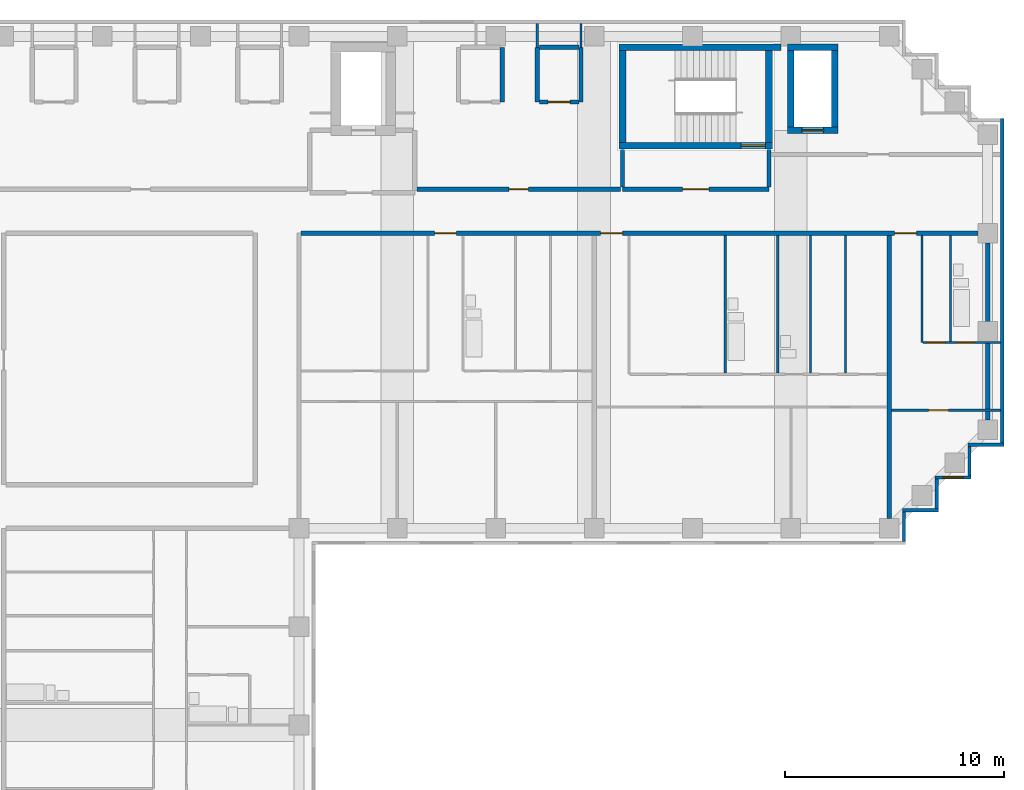
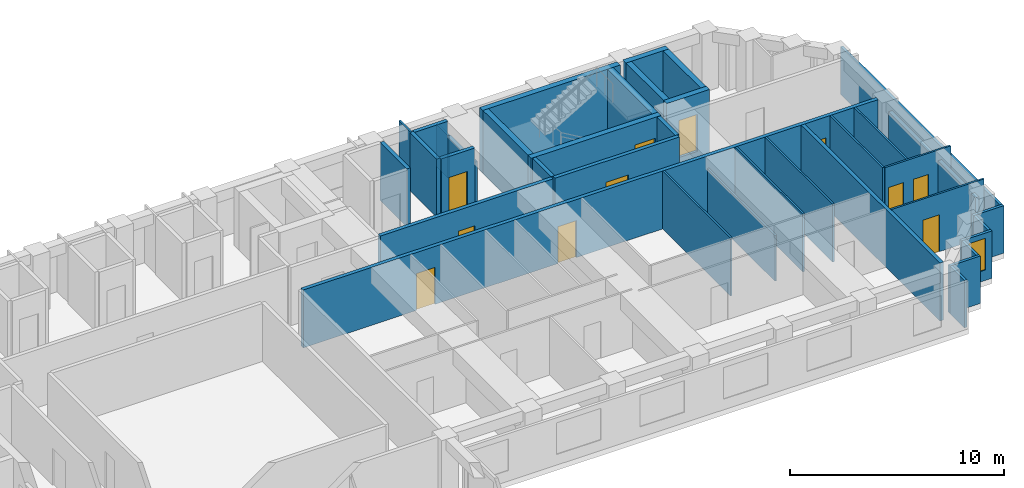
# One storey, part 7 of 10: 37 walls, 11 doors, 1 window, 12 openings.
"""IFC4 building model written with IfcOpenShell, lengths in metres."""

import ifcopenshell
import ifcopenshell.guid

model = None  # the IFC model being written
_history = None  # IfcOwnerHistory: only IFC2X3 demands one
_inside = {}  # id of a spatial element -> (the spatial element, [elements in it])
_under = {}  # id of a project, library or spatial element -> (it, [spatial elements below it])
_declared = {}  # id of a project -> (the project, [libraries it declares])
_typed = {}  # id of a type object -> (the type object, [elements of that type])
_made_of = {}  # id of a material, layer set ... -> (it, [elements and type objects made of it])


def new_model(schema):
    """Start an empty IFC model of exactly this schema.

    Asked for "IFC4X3", IfcOpenShell would pick the latest addendum, in which some entities
    have other attributes; the version numbers below select the first issue.
    IFC2X3 requires an IfcOwnerHistory on every rooted entity: one is made here for all.
    """
    global model, _history
    if schema == "IFC4X3":
        model = ifcopenshell.file(schema_version=(4, 3, 0, 0))
    else:
        model = ifcopenshell.file(schema=schema)
    _inside.clear()
    _under.clear()
    _declared.clear()
    _typed.clear()
    _made_of.clear()
    _history = None
    if model.schema == "IFC2X3":
        org = make("IfcOrganization", Name="unknown")
        user = make(
            "IfcPersonAndOrganization",
            ThePerson=make("IfcPerson", FamilyName="unknown"),
            TheOrganization=org,
        )
        app = make(
            "IfcApplication",
            ApplicationDeveloper=org,
            Version="unknown",
            ApplicationFullName="unknown",
            ApplicationIdentifier="unknown",
        )
        _history = make(
            "IfcOwnerHistory",
            OwningUser=user,
            OwningApplication=app,
            ChangeAction="ADDED",
            CreationDate=0,
        )
    return model


def make(cls, **values):
    """One entity of the class cls with the attributes given. An attribute that is None is left unset."""
    return model.create_entity(
        cls, **{name: value for name, value in values.items() if value is not None}
    )


def rooted(cls, **values):
    """An entity with a GlobalId (a new one), such as an element, a storey or a relation."""
    return make(cls, GlobalId=ifcopenshell.guid.new(), OwnerHistory=_history, **values)


def si_unit(unit_type, name, prefix=None):
    """IfcSIUnit, for example si_unit("LENGTHUNIT", "METRE", prefix="MILLI")."""
    return make("IfcSIUnit", UnitType=unit_type, Prefix=prefix, Name=name)


def assignment(units):
    """IfcUnitAssignment: the units of a project."""
    return None if units is None else make("IfcUnitAssignment", Units=units)


def point(xyz):
    """IfcCartesianPoint."""
    return None if xyz is None else make("IfcCartesianPoint", Coordinates=xyz)


def direction(xyz):
    """IfcDirection."""
    return None if xyz is None else make("IfcDirection", DirectionRatios=xyz)


def frame(location, z_axis=None, x_axis=None):
    """IfcAxis2Placement3D, a coordinate frame: its origin and axes. An axis left out is left unset."""
    return make(
        "IfcAxis2Placement3D",
        Location=point(location),
        Axis=direction(z_axis),
        RefDirection=direction(x_axis),
    )


def frame_2d(location, x_axis=None):
    """IfcAxis2Placement2D, a coordinate frame in the plane: its origin and x axis."""
    return make(
        "IfcAxis2Placement2D", Location=point(location), RefDirection=direction(x_axis)
    )


def origin():
    """The frame at (0, 0, 0) with its axes left unset."""
    return frame((0.0, 0.0, 0.0))


def place(relative_to, where):
    """IfcLocalPlacement: puts the frame where relative to a parent placement (None: the world)."""
    return make(
        "IfcLocalPlacement", PlacementRelTo=relative_to, RelativePlacement=where
    )


def context(
    kind, dimensions, precision=None, world=None, true_north=None, identifier=None
):
    """IfcGeometricRepresentationContext, for example the 3D "Model" context."""
    return make(
        "IfcGeometricRepresentationContext",
        ContextIdentifier=identifier,
        ContextType=kind,
        CoordinateSpaceDimension=dimensions,
        Precision=precision,
        WorldCoordinateSystem=world,
        TrueNorth=true_north,
    )


def subcontext(parent, identifier, kind, view, scale=None):
    """IfcGeometricRepresentationSubContext, for example "Body" below "Model"."""
    return make(
        "IfcGeometricRepresentationSubContext",
        ContextIdentifier=identifier,
        ContextType=kind,
        ParentContext=parent,
        TargetScale=scale,
        TargetView=view,
    )


def project(units=None, contexts=None):
    """IfcProject with its units and contexts."""
    return rooted(
        "IfcProject",
        Name="project",
        RepresentationContexts=contexts,
        UnitsInContext=assignment(units),
    )


def spatial(cls, under=None, at=None, **own):
    """A site, building, storey or space (cls), placed at a placement, below another one or the project."""
    s = rooted(cls, ObjectPlacement=at, **own)
    if under is not None:
        _under.setdefault(under.id(), (under, []))[1].append(s)
    return s


def profile(cls, at=None, kind="AREA", **sizes):
    """A parametric profile (cls). Its sizes go by their IFC names, for example OverallWidth=200.0."""
    return make(cls, ProfileType=kind, Position=at, **sizes)


def rectangle(**sizes):
    """IfcRectangleProfileDef."""
    return profile("IfcRectangleProfileDef", **sizes)


def extrude(swept, where, along, depth):
    """IfcExtrudedAreaSolid: the profile swept, set in the frame where, extruded along a direction by depth."""
    return make(
        "IfcExtrudedAreaSolid",
        SweptArea=swept,
        Position=where,
        ExtrudedDirection=direction(along),
        Depth=depth,
    )


def shape(context_of_items, identifier, shape_type, items):
    """IfcShapeRepresentation: the items that make up one representation, for example the "Body"."""
    return make(
        "IfcShapeRepresentation",
        ContextOfItems=context_of_items,
        RepresentationIdentifier=identifier,
        RepresentationType=shape_type,
        Items=items,
    )


def material(Name=None, Category=None):
    """IfcMaterial."""
    return make("IfcMaterial", Name=Name, Category=Category)


def layer(
    of_material, thickness, ventilated=None, Name=None, Category=None, Priority=None
):
    """IfcMaterialLayer: one layer of a wall or slab, of a material (None: an air gap)."""
    return make(
        "IfcMaterialLayer",
        Material=of_material,
        LayerThickness=thickness,
        IsVentilated=ventilated,
        Name=Name,
        Category=Category,
        Priority=Priority,
    )


def layer_set(layers, Name=None):
    """IfcMaterialLayerSet."""
    return make("IfcMaterialLayerSet", MaterialLayers=layers, LayerSetName=Name)


def made_of(thing, what):
    """Note that an element or type object is made of a material, layer set ...; save() writes the relation."""
    if what is not None:
        _made_of.setdefault(what.id(), (what, []))[1].append(thing)
    return thing


def type_object(cls, material=None, **own):
    """A type object (cls), such as IfcWallType, which elements share."""
    return made_of(rooted(cls, **own), material)


def element(
    cls,
    number,
    at=None,
    inside=None,
    cuts=None,
    type_object=None,
    material=None,
    context=None,
    identifier="Body",
    shape_type=None,
    held_by="IfcProductDefinitionShape",
    body=None,
    shapes=None,
    **own,
):
    """One element of the class cls, such as IfcWall. Its Tag is "e" and its number.

    at: its placement. inside: the storey or other place that contains it. cuts: it is an
    opening in that element (IfcRelVoidsElement). A single representation is given by context,
    identifier, shape_type and body (its items); several are given by shapes. held_by: the class
    of the entity that holds the representations. save() writes the other relations.
    """
    e = rooted(cls, Tag="e%d" % number, ObjectPlacement=at, **own)
    if body is not None:
        shapes = [shape(context, identifier, shape_type, body)]
    if shapes is not None:
        e.Representation = make(held_by, Representations=shapes)
    if inside is not None:
        _inside.setdefault(inside.id(), (inside, []))[1].append(e)
    if cuts is not None:
        rooted(
            "IfcRelVoidsElement", RelatingBuildingElement=cuts, RelatedOpeningElement=e
        )
    if type_object is not None:
        _typed.setdefault(type_object.id(), (type_object, []))[1].append(e)
    return made_of(e, material)


def fill(opening, filler):
    """IfcRelFillsElement: the door or window that sits in an opening."""
    return rooted(
        "IfcRelFillsElement",
        RelatingOpeningElement=opening,
        RelatedBuildingElement=filler,
    )


def aggregate(whole, parts):
    """IfcRelAggregates: a whole, such as a stair, and the parts it consists of."""
    return rooted("IfcRelAggregates", RelatingObject=whole, RelatedObjects=parts)


def save(model, path):
    """Write the relations noted so far, then the file.

    IfcRelAggregates (storeys below a building ...), IfcRelContainedInSpatialStructure (elements
    in a storey), IfcRelDefinesByType, IfcRelAssociatesMaterial and IfcRelDeclares: one each for
    every whole, place, type object, material and project.
    """
    for whole, parts in _under.values():
        aggregate(whole, parts)
    for where, things in _inside.values():
        rooted(
            "IfcRelContainedInSpatialStructure",
            RelatedElements=things,
            RelatingStructure=where,
        )
    for kind, things in _typed.values():
        rooted("IfcRelDefinesByType", RelatedObjects=things, RelatingType=kind)
    for what, things in _made_of.values():
        rooted("IfcRelAssociatesMaterial", RelatedObjects=things, RelatingMaterial=what)
    for by, libraries in _declared.values():
        rooted("IfcRelDeclares", RelatingContext=by, RelatedDefinitions=libraries)
    model.write(path)


model = new_model("IFC4")

# Units and contexts
model_context = context("Model", 3, precision=1e-05, world=origin(), true_north=direction((0.0, 1.0)))
body_context = subcontext(model_context, "Body", "Model", "MODEL_VIEW")
ifc_project = project(units=[si_unit("LENGTHUNIT", "METRE"), si_unit("AREAUNIT", "SQUARE_METRE"), si_unit("VOLUMEUNIT", "CUBIC_METRE"), si_unit("PLANEANGLEUNIT", "RADIAN"), si_unit("MASSUNIT", "GRAM", prefix="KILO")], contexts=[model_context])

# Site, building, storey
site_placement = place(None, origin())
site = spatial("IfcSite", under=ifc_project, at=site_placement, CompositionType="ELEMENT")
building_placement = place(site_placement, origin())
building = spatial("IfcBuilding", under=site, at=building_placement, Name="Firuza Court", CompositionType="ELEMENT")
storey_placement = place(building_placement, frame((0.0, 0.0, 189.800048828125)))
storey = spatial("IfcBuildingStorey", under=building, at=storey_placement, Name="L48", CompositionType="ELEMENT", Elevation=189.800048828125)

# Walls
ifc_material_1 = material(Name="Moisture-resistant gypsum board partition")
ifc_layer_1 = layer(ifc_material_1, 0.10009765625)
ifc_layer_set_1 = layer_set([ifc_layer_1], Name="Moisture-resistant gypsum board partition")
wall_type_1 = type_object("IfcWallType", Name="Bathroom partition 100", PredefinedType="PLUMBINGWALL", material=ifc_layer_set_1)
wall_1_placement = place(storey_placement, frame((42.0, 43.10009765625, 0.0), z_axis=(0.0, 0.0, 1.0), x_axis=(0.0, 1.0, 0.0)))
element("IfcWall", 1, at=wall_1_placement, inside=storey, type_object=wall_type_1, Name="Bathroom partition 100 L48", PredefinedType="PLUMBINGWALL", context=body_context, shape_type="SweptSolid", body=[
    extrude(rectangle(XDim=6.2998046875, YDim=0.10009765625, at=frame_2d((3.14990234375, 0.0))), origin(), (0.0, 0.0, 1.0), 3.300048828125),
])
wall_2_placement = place(storey_placement, frame((44.39990234375, 43.10009765625, 0.0), z_axis=(0.0, 0.0, 1.0), x_axis=(0.0, 1.0, 0.0)))
element("IfcWall", 2, at=wall_2_placement, inside=storey, type_object=wall_type_1, Name="Bathroom partition 100 L48", PredefinedType="PLUMBINGWALL", context=body_context, shape_type="SweptSolid", body=[
    extrude(rectangle(XDim=6.2998046875, YDim=0.10009765625, at=frame_2d((3.14990234375, 0.0))), origin(), (0.0, 0.0, 1.0), 2.599853515625),
])
wall_3_placement = place(storey_placement, frame((45.89990234375, 43.10009765625, 0.0), z_axis=(0.0, 0.0, 1.0), x_axis=(0.0, 1.0, 0.0)))
element("IfcWall", 3, at=wall_3_placement, inside=storey, type_object=wall_type_1, Name="Bathroom partition 100 L48", PredefinedType="PLUMBINGWALL", context=body_context, shape_type="SweptSolid", body=[
    extrude(rectangle(XDim=6.2998046875, YDim=0.10009765625, at=frame_2d((3.14990234375, 0.0))), origin(), (0.0, 0.0, 1.0), 3.300048828125),
])
wall_4_placement = place(storey_placement, frame((52.300048828125, 44.550048828125, 0.0), z_axis=(0.0, 0.0, 1.0), x_axis=(0.0, 1.0, 0.0)))
element("IfcWall", 4, at=wall_4_placement, inside=storey, type_object=wall_type_1, Name="Bathroom partition 100 L48", PredefinedType="PLUMBINGWALL", context=body_context, shape_type="SweptSolid", body=[
    extrude(rectangle(XDim=4.849853515625, YDim=0.10009765625, at=frame_2d((2.4248046875, 0.0))), origin(), (0.0, 0.0, 1.0), 3.300048828125),
])

# Wall, opening, door
ifc_material_2 = material(Name="Concrete C50/60", Category="concrete")
ifc_layer_2 = layer(ifc_material_2, 0.300048828125)
ifc_layer_set_2 = layer_set([ifc_layer_2], Name="Concrete C50/60")
wall_type_2 = type_object("IfcWallType", Name="Core wall 300 C50/60", PredefinedType="SHEAR", material=ifc_layer_set_2)
wall_5_placement = place(storey_placement, frame((37.14990234375, 53.5, -0.300048828125), z_axis=(0.0, 0.0, 1.0), x_axis=(1.0, 0.0, 0.0)))
wall_5 = element("IfcWall", 5, at=wall_5_placement, inside=storey, type_object=wall_type_2, Name="Core wall stair L48", PredefinedType="SHEAR", context=body_context, shape_type="SweptSolid", body=[
    extrude(rectangle(XDim=7.0, YDim=0.300048828125, at=frame_2d((3.5, 0.0))), origin(), (0.0, 0.0, 1.0), 3.60009765625),
])
opening_1_placement = place(wall_5_placement, frame((5.580078125, 0.0, 0.300048828125)))
opening_1 = element("IfcOpeningElement", 6, at=opening_1_placement, cuts=wall_5, Name="Opening D48011", PredefinedType="OPENING", context=body_context, shape_type="SweptSolid", body=[
    extrude(rectangle(XDim=1.10009765625, YDim=2.10009765625, at=frame_2d((0.550048828125, 1.050048828125))), frame((0.0, 0.162109375, 0.0), z_axis=(0.0, -1.0, 0.0), x_axis=(1.0, 0.0, 0.0)), (0.0, 0.0, 1.0), 0.323974609375),
])
ifc_material_3 = material(Name="Timber door leaf in hardwood frame", Category="wood")
door_type_1 = type_object("IfcDoorType", Name="Stair door 1100", OperationType="SINGLE_SWING_LEFT", PredefinedType="DOOR", material=ifc_material_3)
door_1_placement = place(opening_1_placement, origin())
door_1 = element("IfcDoor", 7, at=door_1_placement, inside=storey, type_object=door_type_1, Name="Stair door S1", OperationType="SINGLE_SWING_RIGHT", OverallHeight=2.10009765625, OverallWidth=1.10009765625, PredefinedType="DOOR", context=body_context, shape_type="SweptSolid", body=[
    extrude(rectangle(XDim=1.10009765625, YDim=2.10009765625, at=frame_2d((0.550048828125, 1.050048828125))), frame((0.0, 0.02490234375, 0.0), z_axis=(0.0, -1.0, 0.0), x_axis=(1.0, 0.0, 0.0)), (0.0, 0.0, 1.0), 0.050048828125),
])
fill(opening_1, door_1)

# Walls
wall_6_placement = place(storey_placement, frame((37.14990234375, 58.0, -0.300048828125), z_axis=(0.0, 0.0, 1.0), x_axis=(1.0, 0.0, 0.0)))
element("IfcWall", 8, at=wall_6_placement, inside=storey, type_object=wall_type_2, Name="Core wall stair L48", PredefinedType="SHEAR", context=body_context, shape_type="SweptSolid", body=[
    extrude(rectangle(XDim=7.400146484375, YDim=0.300048828125, at=frame_2d((3.7001953125, 0.0))), origin(), (0.0, 0.0, 1.0), 3.60009765625),
])
for number, where, z_axis, x_axis, name in (
    (9, (37.300048828125, 53.64990234375, -0.300048828125), (0.0, 0.0, 1.0), (0.0, 1.0, 0.0), "Core wall stair L48"),
    (10, (44.0, 53.64990234375, -0.300048828125), (0.0, 0.0, 1.0), (0.0, 1.0, 0.0), "Core wall stair L48"),
):
    element("IfcWall", number, at=place(storey_placement, frame(where, z_axis=z_axis, x_axis=x_axis)), inside=storey, type_object=wall_type_2, Name=name, PredefinedType="SHEAR", context=body_context, shape_type="SweptSolid", body=[
        extrude(rectangle(XDim=4.2001953125, YDim=0.300048828125, at=frame_2d((2.10009765625, 0.0))), origin(), (0.0, 0.0, 1.0), 3.60009765625),
    ])

# Wall, opening, door
wall_7_placement = place(storey_placement, frame((44.85009765625, 54.199951171875, -0.300048828125), z_axis=(0.0, 0.0, 1.0), x_axis=(1.0, 0.0, 0.0)))
wall_7 = element("IfcWall", 11, at=wall_7_placement, inside=storey, type_object=wall_type_2, Name="Core wall riser L48", PredefinedType="SHEAR", context=body_context, shape_type="SweptSolid", body=[
    extrude(rectangle(XDim=2.2998046875, YDim=0.300048828125, at=frame_2d((1.14990234375, 0.0))), origin(), (0.0, 0.0, 1.0), 3.60009765625),
])
opening_2_placement = place(wall_7_placement, frame((0.64990234375, 0.0, 0.300048828125)))
opening_2 = element("IfcOpeningElement", 12, at=opening_2_placement, cuts=wall_7, Name="Opening D48009", PredefinedType="OPENING", context=body_context, shape_type="SweptSolid", body=[
    extrude(rectangle(XDim=1.0, YDim=2.10009765625, at=frame_2d((0.5, 1.050048828125))), frame((0.0, 0.162109375, 0.0), z_axis=(0.0, -1.0, 0.0), x_axis=(1.0, 0.0, 0.0)), (0.0, 0.0, 1.0), 0.323974609375),
])
ifc_material_4 = material(Name="Timber door leaf in hardwood frame", Category="wood")
door_type_2 = type_object("IfcDoorType", Name="Riser door 1000", OperationType="SINGLE_SWING_LEFT", PredefinedType="DOOR", material=ifc_material_4)
door_2_placement = place(opening_2_placement, origin())
door_2 = element("IfcDoor", 13, at=door_2_placement, inside=storey, type_object=door_type_2, Name="Riser door R3", OperationType="SINGLE_SWING_LEFT", OverallHeight=2.10009765625, OverallWidth=1.0, PredefinedType="DOOR", context=body_context, shape_type="SweptSolid", body=[
    extrude(rectangle(XDim=1.0, YDim=2.10009765625, at=frame_2d((0.5, 1.050048828125))), frame((0.0, 0.02490234375, 0.0), z_axis=(0.0, -1.0, 0.0), x_axis=(1.0, 0.0, 0.0)), (0.0, 0.0, 1.0), 0.050048828125),
])
fill(opening_2, door_2)

# Walls
wall_8_placement = place(storey_placement, frame((44.85009765625, 58.0, -0.300048828125), z_axis=(0.0, 0.0, 1.0), x_axis=(1.0, 0.0, 0.0)))
element("IfcWall", 14, at=wall_8_placement, inside=storey, type_object=wall_type_2, Name="Core wall riser L48", PredefinedType="SHEAR", context=body_context, shape_type="SweptSolid", body=[
    extrude(rectangle(XDim=2.2998046875, YDim=0.300048828125, at=frame_2d((1.14990234375, 0.0))), origin(), (0.0, 0.0, 1.0), 3.60009765625),
])
for number, where, z_axis, x_axis, name in (
    (15, (45.0, 54.35009765625, -0.300048828125), (0.0, 0.0, 1.0), (0.0, 1.0, 0.0), "Core wall riser L48"),
    (16, (47.0, 54.35009765625, -0.300048828125), (0.0, 0.0, 1.0), (0.0, 1.0, 0.0), "Core wall riser L48"),
):
    element("IfcWall", number, at=place(storey_placement, frame(where, z_axis=z_axis, x_axis=x_axis)), inside=storey, type_object=wall_type_2, Name=name, PredefinedType="SHEAR", context=body_context, shape_type="SweptSolid", body=[
        extrude(rectangle(XDim=3.5, YDim=0.300048828125, at=frame_2d((1.75, 0.0))), origin(), (0.0, 0.0, 1.0), 3.60009765625),
    ])

# Wall, openings, doors
ifc_material_5 = material(Name="Blockwork, plastered both sides", Category="masonry")
ifc_layer_3 = layer(ifc_material_5, 0.199951171875)
ifc_layer_set_3 = layer_set([ifc_layer_3], Name="Blockwork, plastered both sides")
wall_type_3 = type_object("IfcWallType", Name="Corridor wall 200", PredefinedType="PARTITIONING", material=ifc_layer_set_3)
wall_9_placement = place(storey_placement, frame((22.60009765625, 49.5, 0.0), z_axis=(0.0, 0.0, 1.0), x_axis=(1.0, 0.0, 0.0)))
wall_9 = element("IfcWall", 17, at=wall_9_placement, inside=storey, type_object=wall_type_3, Name="Corridor wall 200 L48", PredefinedType="PARTITIONING", context=body_context, shape_type="SweptSolid", body=[
    extrude(rectangle(XDim=30.949951171875, YDim=0.199951171875, at=frame_2d((15.47509765625, 0.0))), origin(), (0.0, 0.0, 1.0), 3.300048828125),
])
opening_3_placement = place(wall_9_placement, frame((6.10009765625, 0.0, 0.0)))
opening_3 = element("IfcOpeningElement", 18, at=opening_3_placement, cuts=wall_9, Name="Opening D48055", PredefinedType="OPENING", context=body_context, shape_type="SweptSolid", body=[
    extrude(rectangle(XDim=1.0, YDim=2.10009765625, at=frame_2d((0.5, 1.050048828125))), frame((0.0, 0.11181640625, 0.0), z_axis=(0.0, -1.0, 0.0), x_axis=(1.0, 0.0, 0.0)), (0.0, 0.0, 1.0), 0.223876953125),
])
opening_4_placement = place(wall_9_placement, frame((13.699951171875, 0.0, 0.0)))
opening_4 = element("IfcOpeningElement", 19, at=opening_4_placement, cuts=wall_9, Name="Opening D48056", PredefinedType="OPENING", context=body_context, shape_type="SweptSolid", body=[
    extrude(rectangle(XDim=1.0, YDim=2.10009765625, at=frame_2d((0.5, 1.050048828125))), frame((0.0, 0.11181640625, 0.0), z_axis=(0.0, -1.0, 0.0), x_axis=(1.0, 0.0, 0.0)), (0.0, 0.0, 1.0), 0.223876953125),
])
opening_5_placement = place(wall_9_placement, frame((27.14990234375, 0.0, 0.0)))
opening_5 = element("IfcOpeningElement", 20, at=opening_5_placement, cuts=wall_9, Name="Opening D48057", PredefinedType="OPENING", context=body_context, shape_type="SweptSolid", body=[
    extrude(rectangle(XDim=1.0, YDim=2.10009765625, at=frame_2d((0.5, 1.050048828125))), frame((0.0, 0.11181640625, 0.0), z_axis=(0.0, -1.0, 0.0), x_axis=(1.0, 0.0, 0.0)), (0.0, 0.0, 1.0), 0.223876953125),
])
ifc_material_6 = material(Name="Timber door leaf in hardwood frame", Category="wood")
door_type_3 = type_object("IfcDoorType", Name="Flat entrance door 1000", OperationType="SINGLE_SWING_LEFT", PredefinedType="DOOR", material=ifc_material_6)
door_3_placement = place(opening_3_placement, origin())
door_3 = element("IfcDoor", 21, at=door_3_placement, inside=storey, type_object=door_type_3, Name="Flat entrance door", OperationType="SINGLE_SWING_LEFT", OverallHeight=2.10009765625, OverallWidth=1.0, PredefinedType="DOOR", context=body_context, shape_type="SweptSolid", body=[
    extrude(rectangle(XDim=1.0, YDim=2.10009765625, at=frame_2d((0.5, 1.050048828125))), frame((0.0, 0.02490234375, 0.0), z_axis=(0.0, -1.0, 0.0), x_axis=(1.0, 0.0, 0.0)), (0.0, 0.0, 1.0), 0.050048828125),
])
fill(opening_3, door_3)
door_4_placement = place(opening_4_placement, origin())
door_4 = element("IfcDoor", 22, at=door_4_placement, inside=storey, type_object=door_type_3, Name="Flat entrance door", OperationType="SINGLE_SWING_LEFT", OverallHeight=2.10009765625, OverallWidth=1.0, PredefinedType="DOOR", context=body_context, shape_type="SweptSolid", body=[
    extrude(rectangle(XDim=1.0, YDim=2.10009765625, at=frame_2d((0.5, 1.050048828125))), frame((0.0, 0.02490234375, 0.0), z_axis=(0.0, -1.0, 0.0), x_axis=(1.0, 0.0, 0.0)), (0.0, 0.0, 1.0), 0.050048828125),
])
fill(opening_4, door_4)
door_5_placement = place(opening_5_placement, origin())
door_5 = element("IfcDoor", 23, at=door_5_placement, inside=storey, type_object=door_type_3, Name="Flat entrance door", OperationType="SINGLE_SWING_RIGHT", OverallHeight=2.10009765625, OverallWidth=1.0, PredefinedType="DOOR", context=body_context, shape_type="SweptSolid", body=[
    extrude(rectangle(XDim=1.0, YDim=2.10009765625, at=frame_2d((0.5, 1.050048828125))), frame((0.0, 0.02490234375, 0.0), z_axis=(0.0, -1.0, 0.0), x_axis=(1.0, 0.0, 0.0)), (0.0, 0.0, 1.0), 0.050048828125),
])
fill(opening_5, door_5)

# Wall, opening, door
wall_10_placement = place(storey_placement, frame((27.89990234375, 51.5, 0.0), z_axis=(0.0, 0.0, 1.0), x_axis=(1.0, 0.0, 0.0)))
wall_10 = element("IfcWall", 24, at=wall_10_placement, inside=storey, type_object=wall_type_3, Name="Corridor wall 200 L48", PredefinedType="PARTITIONING", context=body_context, shape_type="SweptSolid", body=[
    extrude(rectangle(XDim=9.300048828125, YDim=0.199951171875, at=frame_2d((4.64990234375, 0.0))), origin(), (0.0, 0.0, 1.0), 3.300048828125),
])
opening_6_placement = place(wall_10_placement, frame((4.199951171875, 0.0, 0.0)))
opening_6 = element("IfcOpeningElement", 25, at=opening_6_placement, cuts=wall_10, Name="Opening D48059", PredefinedType="OPENING", context=body_context, shape_type="SweptSolid", body=[
    extrude(rectangle(XDim=0.89990234375, YDim=2.10009765625, at=frame_2d((0.449951171875, 1.050048828125))), frame((0.0, 0.11181640625, 0.0), z_axis=(0.0, -1.0, 0.0), x_axis=(1.0, 0.0, 0.0)), (0.0, 0.0, 1.0), 0.223876953125),
])
ifc_material_7 = material(Name="Timber door leaf in hardwood frame", Category="wood")
door_type_4 = type_object("IfcDoorType", Name="Room door 900 EI 30", OperationType="SINGLE_SWING_LEFT", PredefinedType="DOOR", material=ifc_material_7)
door_6_placement = place(opening_6_placement, origin())
door_6 = element("IfcDoor", 26, at=door_6_placement, inside=storey, type_object=door_type_4, Name="Meeting room door", OperationType="SINGLE_SWING_LEFT", OverallHeight=2.10009765625, OverallWidth=0.89990234375, PredefinedType="DOOR", context=body_context, shape_type="SweptSolid", body=[
    extrude(rectangle(XDim=0.89990234375, YDim=2.10009765625, at=frame_2d((0.449951171875, 1.050048828125))), frame((0.0, 0.02490234375, 0.0), z_axis=(0.0, -1.0, 0.0), x_axis=(1.0, 0.0, 0.0)), (0.0, 0.0, 1.0), 0.050048828125),
])
fill(opening_6, door_6)

ifc_material_8 = material(Name="Timber stud partition, plasterboard both sides", Category="wood")
ifc_layer_4 = layer(ifc_material_8, 0.10009765625)
ifc_layer_set_4 = layer_set([ifc_layer_4], Name="Timber stud partition, plasterboard both sides")
wall_type_4 = type_object("IfcWallType", Name="Partition wall 100", PredefinedType="PARTITIONING", material=ifc_layer_set_4)
wall_11_placement = place(storey_placement, frame((49.60009765625, 41.39990234375, 0.0), z_axis=(0.0, 0.0, 1.0), x_axis=(1.0, 0.0, 0.0)))
wall_11 = element("IfcWall", 27, at=wall_11_placement, inside=storey, type_object=wall_type_4, Name="Partition wall 100 L48", PredefinedType="PARTITIONING", context=body_context, shape_type="SweptSolid", body=[
    extrude(rectangle(XDim=5.0, YDim=0.10009765625, at=frame_2d((2.5, 0.0))), origin(), (0.0, 0.0, 1.0), 3.300048828125),
])
opening_7_placement = place(wall_11_placement, frame((1.699951171875, 0.0, 0.0)))
opening_7 = element("IfcOpeningElement", 28, at=opening_7_placement, cuts=wall_11, Name="Opening D48038", PredefinedType="OPENING", context=body_context, shape_type="SweptSolid", body=[
    extrude(rectangle(XDim=0.89990234375, YDim=2.10009765625, at=frame_2d((0.449951171875, 1.050048828125))), frame((0.0, 0.06201171875, 0.0), z_axis=(0.0, -1.0, 0.0), x_axis=(1.0, 0.0, 0.0)), (0.0, 0.0, 1.0), 0.1240234375),
])
ifc_material_9 = material(Name="Timber door leaf in hardwood frame", Category="wood")
door_type_5 = type_object("IfcDoorType", Name="Room door 900", OperationType="SINGLE_SWING_LEFT", PredefinedType="DOOR", material=ifc_material_9)
door_7_placement = place(opening_7_placement, frame((0.89990234375, 0.0, 0.0), z_axis=(0.0, 0.0, 1.0), x_axis=(-1.0, 0.0, 0.0)))
door_7 = element("IfcDoor", 29, at=door_7_placement, inside=storey, type_object=door_type_5, Name="Studio room door", OperationType="SINGLE_SWING_RIGHT", OverallHeight=2.10009765625, OverallWidth=0.89990234375, PredefinedType="DOOR", context=body_context, shape_type="SweptSolid", body=[
    extrude(rectangle(XDim=0.89990234375, YDim=2.10009765625, at=frame_2d((0.449951171875, 1.050048828125))), frame((0.0, 0.02490234375, 0.0), z_axis=(0.0, -1.0, 0.0), x_axis=(1.0, 0.0, 0.0)), (0.0, 0.0, 1.0), 0.050048828125),
])
fill(opening_7, door_7)

# Walls
wall_12_placement = place(storey_placement, frame((47.5, 43.10009765625, 0.0), z_axis=(0.0, 0.0, 1.0), x_axis=(0.0, 1.0, 0.0)))
element("IfcWall", 30, at=wall_12_placement, inside=storey, type_object=wall_type_4, Name="Partition wall 100 L48", PredefinedType="PARTITIONING", context=body_context, shape_type="SweptSolid", body=[
    extrude(rectangle(XDim=6.2998046875, YDim=0.10009765625, at=frame_2d((3.14990234375, 0.0))), origin(), (0.0, 0.0, 1.0), 3.300048828125),
])
wall_13_placement = place(storey_placement, frame((51.0, 44.5, 0.0), z_axis=(0.0, 0.0, 1.0), x_axis=(0.0, 1.0, 0.0)))
element("IfcWall", 31, at=wall_13_placement, inside=storey, type_object=wall_type_4, Name="Partition wall 100 L48", PredefinedType="PARTITIONING", context=body_context, shape_type="SweptSolid", body=[
    extrude(rectangle(XDim=4.89990234375, YDim=0.10009765625, at=frame_2d((2.449951171875, 0.0))), origin(), (0.0, 0.0, 1.0), 3.300048828125),
])

# Wall, openings, doors
wall_14_placement = place(storey_placement, frame((51.050048828125, 44.5, 0.0), z_axis=(0.0, 0.0, 1.0), x_axis=(1.0, 0.0, 0.0)))
wall_14 = element("IfcWall", 32, at=wall_14_placement, inside=storey, type_object=wall_type_4, Name="Partition wall 100 L48", PredefinedType="PARTITIONING", context=body_context, shape_type="SweptSolid", body=[
    extrude(rectangle(XDim=3.550048828125, YDim=0.10009765625, at=frame_2d((1.77490234375, 0.0))), origin(), (0.0, 0.0, 1.0), 3.300048828125),
])
opening_8_placement = place(wall_14_placement, frame((1.550048828125, 0.0, 0.0)))
opening_8 = element("IfcOpeningElement", 33, at=opening_8_placement, cuts=wall_14, Name="Opening D48053", PredefinedType="OPENING", context=body_context, shape_type="SweptSolid", body=[
    extrude(rectangle(XDim=0.800048828125, YDim=2.10009765625, at=frame_2d((0.39990234375, 1.050048828125))), frame((0.0, 0.06201171875, 0.0), z_axis=(0.0, -1.0, 0.0), x_axis=(1.0, 0.0, 0.0)), (0.0, 0.0, 1.0), 0.1240234375),
])
opening_9_placement = place(wall_14_placement, frame((0.199951171875, 0.0, 0.0)))
opening_9 = element("IfcOpeningElement", 34, at=opening_9_placement, cuts=wall_14, Name="Opening D48054", PredefinedType="OPENING", context=body_context, shape_type="SweptSolid", body=[
    extrude(rectangle(XDim=0.800048828125, YDim=2.10009765625, at=frame_2d((0.39990234375, 1.050048828125))), frame((0.0, 0.06201171875, 0.0), z_axis=(0.0, -1.0, 0.0), x_axis=(1.0, 0.0, 0.0)), (0.0, 0.0, 1.0), 0.1240234375),
])
ifc_material_10 = material(Name="Timber door leaf in hardwood frame", Category="wood")
door_type_6 = type_object("IfcDoorType", Name="Bathroom door 800", OperationType="SINGLE_SWING_LEFT", PredefinedType="DOOR", material=ifc_material_10)
door_8_placement = place(opening_8_placement, origin())
door_8 = element("IfcDoor", 35, at=door_8_placement, inside=storey, type_object=door_type_6, Name="Bathroom door", OperationType="SINGLE_SWING_LEFT", OverallHeight=2.10009765625, OverallWidth=0.800048828125, PredefinedType="DOOR", context=body_context, shape_type="SweptSolid", body=[
    extrude(rectangle(XDim=0.800048828125, YDim=2.10009765625, at=frame_2d((0.39990234375, 1.050048828125))), frame((0.0, 0.02490234375, 0.0), z_axis=(0.0, -1.0, 0.0), x_axis=(1.0, 0.0, 0.0)), (0.0, 0.0, 1.0), 0.050048828125),
])
fill(opening_8, door_8)
ifc_material_11 = material(Name="Timber door leaf in hardwood frame", Category="wood")
door_type_7 = type_object("IfcDoorType", Name="Room door 800", OperationType="SINGLE_SWING_LEFT", PredefinedType="DOOR", material=ifc_material_11)
door_9_placement = place(opening_9_placement, origin())
door_9 = element("IfcDoor", 36, at=door_9_placement, inside=storey, type_object=door_type_7, Name="Kitchen door", OperationType="SINGLE_SWING_LEFT", OverallHeight=2.10009765625, OverallWidth=0.800048828125, PredefinedType="DOOR", context=body_context, shape_type="SweptSolid", body=[
    extrude(rectangle(XDim=0.800048828125, YDim=2.10009765625, at=frame_2d((0.39990234375, 1.050048828125))), frame((0.0, 0.02490234375, 0.0), z_axis=(0.0, -1.0, 0.0), x_axis=(1.0, 0.0, 0.0)), (0.0, 0.0, 1.0), 0.050048828125),
])
fill(opening_9, door_9)

# Walls
wall_15_placement = place(storey_placement, frame((33.39990234375, 58.0, 0.0), z_axis=(0.0, 0.0, 1.0), x_axis=(0.0, 1.0, 0.0)))
element("IfcWall", 37, at=wall_15_placement, inside=storey, type_object=wall_type_4, Name="Partition wall 100 L48", PredefinedType="PARTITIONING", context=body_context, shape_type="SweptSolid", body=[
    extrude(rectangle(XDim=1.10009765625, YDim=0.10009765625, at=frame_2d((0.550048828125, 0.0))), origin(), (0.0, 0.0, 1.0), 3.300048828125),
])
wall_16_placement = place(storey_placement, frame((35.39990234375, 58.0, 0.0), z_axis=(0.0, 0.0, 1.0), x_axis=(0.0, 1.0, 0.0)))
element("IfcWall", 38, at=wall_16_placement, inside=storey, type_object=wall_type_4, Name="Partition wall 100 L48", PredefinedType="PARTITIONING", context=body_context, shape_type="SweptSolid", body=[
    extrude(rectangle(XDim=1.10009765625, YDim=0.10009765625, at=frame_2d((0.550048828125, 0.0))), origin(), (0.0, 0.0, 1.0), 2.39990234375),
])
ifc_layer_5 = layer(ifc_material_5, 0.199951171875)
ifc_layer_set_5 = layer_set([ifc_layer_5], Name="Blockwork, plastered both sides")
wall_type_5 = type_object("IfcWallType", Name="Party wall 200", PredefinedType="PARTITIONING", material=ifc_layer_set_5)
wall_17_placement = place(storey_placement, frame((49.5, 36.449951171875, 0.0), z_axis=(0.0, 0.0, 1.0), x_axis=(0.0, 1.0, 0.0)))
element("IfcWall", 39, at=wall_17_placement, inside=storey, type_object=wall_type_5, Name="Party wall 200 L48", PredefinedType="PARTITIONING", context=body_context, shape_type="SweptSolid", body=[
    extrude(rectangle(XDim=12.949951171875, YDim=0.199951171875, at=frame_2d((6.47509765625, 0.0))), origin(), (0.0, 0.0, 1.0), 3.300048828125),
])
wall_18_placement = place(storey_placement, frame((54.0, 40.949951171875, 0.0), z_axis=(0.0, 0.0, 1.0), x_axis=(0.0, 1.0, 0.0)))
element("IfcWall", 40, at=wall_18_placement, inside=storey, type_object=wall_type_5, Name="Party wall 200 L48", PredefinedType="PARTITIONING", context=body_context, shape_type="SweptSolid", body=[
    extrude(rectangle(XDim=8.10009765625, YDim=0.199951171875, at=frame_2d((4.050048828125, 0.0))), origin(), (0.0, 0.0, 1.0), 2.699951171875),
])
ifc_material_12 = material(Name="Blockwork, fire-rated", Category="masonry")
ifc_layer_6 = layer(ifc_material_12, 0.199951171875)
ifc_layer_set_6 = layer_set([ifc_layer_6], Name="Blockwork, fire-rated")
wall_type_6 = type_object("IfcWallType", Name="Plant room wall 200", PredefinedType="PARTITIONING", material=ifc_layer_set_6)
for number, where, z_axis, x_axis, name in (
    (41, (31.800048828125, 55.5, 0.0), (0.0, 0.0, 1.0), (0.0, 1.0, 0.0), "Plant room wall 200 L48"),
    (42, (33.39990234375, 55.5, 0.0), (0.0, 0.0, 1.0), (0.0, 1.0, 0.0), "Plant room wall 200 L48"),
):
    element("IfcWall", number, at=place(storey_placement, frame(where, z_axis=z_axis, x_axis=x_axis)), inside=storey, type_object=wall_type_6, Name=name, PredefinedType="PARTITIONING", context=body_context, shape_type="SweptSolid", body=[
        extrude(rectangle(XDim=2.5, YDim=0.199951171875, at=frame_2d((1.25, 0.0))), origin(), (0.0, 0.0, 1.0), 3.300048828125),
    ])

# Wall, opening, door
wall_19_placement = place(storey_placement, frame((33.5, 55.5, 0.0), z_axis=(0.0, 0.0, 1.0), x_axis=(1.0, 0.0, 0.0)))
wall_19 = element("IfcWall", 43, at=wall_19_placement, inside=storey, type_object=wall_type_6, Name="Plant room wall 200 L48", PredefinedType="PARTITIONING", context=body_context, shape_type="SweptSolid", body=[
    extrude(rectangle(XDim=1.800048828125, YDim=0.199951171875, at=frame_2d((0.89990234375, 0.0))), origin(), (0.0, 0.0, 1.0), 3.300048828125),
])
opening_10_placement = place(wall_19_placement, frame((0.39990234375, 0.0, 0.0)))
opening_10 = element("IfcOpeningElement", 44, at=opening_10_placement, cuts=wall_19, Name="Opening D48065", PredefinedType="OPENING", context=body_context, shape_type="SweptSolid", body=[
    extrude(rectangle(XDim=1.0, YDim=2.10009765625, at=frame_2d((0.5, 1.050048828125))), frame((0.0, 0.11181640625, 0.0), z_axis=(0.0, -1.0, 0.0), x_axis=(1.0, 0.0, 0.0)), (0.0, 0.0, 1.0), 0.223876953125),
])
door_10_placement = place(opening_10_placement, origin())
door_10 = element("IfcDoor", 45, at=door_10_placement, inside=storey, type_object=door_type_2, Name="Duct riser door", OperationType="SINGLE_SWING_LEFT", OverallHeight=2.10009765625, OverallWidth=1.0, PredefinedType="DOOR", context=body_context, shape_type="SweptSolid", body=[
    extrude(rectangle(XDim=1.0, YDim=2.10009765625, at=frame_2d((0.5, 1.050048828125))), frame((0.0, 0.02490234375, 0.0), z_axis=(0.0, -1.0, 0.0), x_axis=(1.0, 0.0, 0.0)), (0.0, 0.0, 1.0), 0.050048828125),
])
fill(opening_10, door_10)

# Walls
wall_20_placement = place(storey_placement, frame((35.39990234375, 55.5, 0.0), z_axis=(0.0, 0.0, 1.0), x_axis=(0.0, 1.0, 0.0)))
element("IfcWall", 46, at=wall_20_placement, inside=storey, type_object=wall_type_6, Name="Plant room wall 200 L48", PredefinedType="PARTITIONING", context=body_context, shape_type="SweptSolid", body=[
    extrude(rectangle(XDim=2.5, YDim=0.199951171875, at=frame_2d((1.25, 0.0))), origin(), (0.0, 0.0, 1.0), 2.39990234375),
])
wall_21_placement = place(storey_placement, frame((33.5, 58.0, 0.0), z_axis=(0.0, 0.0, 1.0), x_axis=(1.0, 0.0, 0.0)))
element("IfcWall", 47, at=wall_21_placement, inside=storey, type_object=wall_type_6, Name="Plant room wall 200 L48", PredefinedType="PARTITIONING", context=body_context, shape_type="SweptSolid", body=[
    extrude(rectangle(XDim=1.800048828125, YDim=0.199951171875, at=frame_2d((0.89990234375, 0.0))), origin(), (0.0, 0.0, 1.0), 3.300048828125),
])
ifc_material_13 = material(Name="Ceramic tile", Category="ceramic")
ifc_layer_7 = layer(ifc_material_13, 0.02001953125)
ifc_material_14 = material(Name="Mineral wool insulation", Category="insulation")
ifc_layer_8 = layer(ifc_material_14, 0.050048828125)
ifc_material_15 = material(Name="Concrete C40/50 precast", Category="concrete")
ifc_layer_9 = layer(ifc_material_15, 0.080078125)
ifc_layer_set_7 = layer_set([ifc_layer_7, ifc_layer_8, ifc_layer_9], Name="Concrete C40/50 precast")
wall_type_7 = type_object("IfcWallType", Name="Precast cladding wall with turquoise TILE PANEL face 150", PredefinedType="STANDARD", material=ifc_layer_set_7)
wall_22_placement = place(storey_placement, frame((50.175048828125, 35.39990234375, 0.0), z_axis=(0.0, 0.0, 1.0), x_axis=(0.0, 1.0, 0.0)))
element("IfcWall", 48, at=wall_22_placement, inside=storey, type_object=wall_type_7, Name="Facade wall L48 E", PredefinedType="STANDARD", context=body_context, shape_type="SweptSolid", body=[
    extrude(rectangle(XDim=1.35009765625, YDim=0.14990234375, at=frame_2d((0.675048828125, 0.0))), origin(), (0.0, 0.0, 1.0), 2.699951171875),
])
wall_23_placement = place(storey_placement, frame((50.10009765625, 36.824951171875, 0.0), z_axis=(0.0, 0.0, 1.0), x_axis=(1.0, 0.0, 0.0)))
element("IfcWall", 49, at=wall_23_placement, inside=storey, type_object=wall_type_7, Name="Facade wall L48 S", PredefinedType="STANDARD", context=body_context, shape_type="SweptSolid", body=[
    extrude(rectangle(XDim=1.64990234375, YDim=0.14990234375, at=frame_2d((0.824951171875, 0.0))), origin(), (0.0, 0.0, 1.0), 2.699951171875),
])
wall_24_placement = place(storey_placement, frame((51.675048828125, 36.89990234375, 0.0), z_axis=(0.0, 0.0, 1.0), x_axis=(0.0, 1.0, 0.0)))
element("IfcWall", 50, at=wall_24_placement, inside=storey, type_object=wall_type_7, Name="Facade wall L48 E", PredefinedType="STANDARD", context=body_context, shape_type="SweptSolid", body=[
    extrude(rectangle(XDim=1.35009765625, YDim=0.14990234375, at=frame_2d((0.675048828125, 0.0))), origin(), (0.0, 0.0, 1.0), 2.699951171875),
])

# Wall, opening, window
wall_25_placement = place(storey_placement, frame((51.60009765625, 38.324951171875, 0.0), z_axis=(0.0, 0.0, 1.0), x_axis=(1.0, 0.0, 0.0)))
wall_25 = element("IfcWall", 51, at=wall_25_placement, inside=storey, type_object=wall_type_7, Name="Facade wall L48 S", PredefinedType="STANDARD", context=body_context, shape_type="SweptSolid", body=[
    extrude(rectangle(XDim=1.64990234375, YDim=0.14990234375, at=frame_2d((0.824951171875, 0.0))), origin(), (0.0, 0.0, 1.0), 2.699951171875),
])
opening_11_placement = place(wall_25_placement, frame((0.375, 0.0, 0.60009765625)))
opening_11 = element("IfcOpeningElement", 52, at=opening_11_placement, cuts=wall_25, Name="Opening W3", PredefinedType="OPENING", context=body_context, shape_type="SweptSolid", body=[
    extrude(rectangle(XDim=0.89990234375, YDim=1.800048828125, at=frame_2d((0.449951171875, 0.89990234375))), frame((0.0, 0.0869140625, 0.0), z_axis=(0.0, -1.0, 0.0), x_axis=(1.0, 0.0, 0.0)), (0.0, 0.0, 1.0), 0.173828125),
])
ifc_material_16 = material(Name="Aluminium frame, triple clear glazing", Category="aluminium")
window_type = type_object("IfcWindowType", Name="Window W3 900 x 1800", PartitioningType="SINGLE_PANEL", PredefinedType="WINDOW", material=ifc_material_16)
window_placement = place(opening_11_placement, origin())
window = element("IfcWindow", 53, at=window_placement, inside=storey, type_object=window_type, Name="Window L48", OverallHeight=1.800048828125, OverallWidth=0.89990234375, PartitioningType="SINGLE_PANEL", PredefinedType="WINDOW", context=body_context, shape_type="SweptSolid", body=[
    extrude(rectangle(XDim=0.89990234375, YDim=1.800048828125, at=frame_2d((0.449951171875, 0.89990234375))), frame((0.0, 0.030029296875, 0.0), z_axis=(0.0, -1.0, 0.0), x_axis=(1.0, 0.0, 0.0)), (0.0, 0.0, 1.0), 0.06005859375),
])
fill(opening_11, window)

# Walls
wall_26_placement = place(storey_placement, frame((53.175048828125, 38.39990234375, 0.0), z_axis=(0.0, 0.0, 1.0), x_axis=(0.0, 1.0, 0.0)))
element("IfcWall", 54, at=wall_26_placement, inside=storey, type_object=wall_type_7, Name="Facade wall L48 E", PredefinedType="STANDARD", context=body_context, shape_type="SweptSolid", body=[
    extrude(rectangle(XDim=1.35009765625, YDim=0.14990234375, at=frame_2d((0.675048828125, 0.0))), origin(), (0.0, 0.0, 1.0), 2.699951171875),
])
wall_27_placement = place(storey_placement, frame((53.10009765625, 39.824951171875, 0.0), z_axis=(0.0, 0.0, 1.0), x_axis=(1.0, 0.0, 0.0)))
element("IfcWall", 55, at=wall_27_placement, inside=storey, type_object=wall_type_7, Name="Facade wall L48 S", PredefinedType="STANDARD", context=body_context, shape_type="SweptSolid", body=[
    extrude(rectangle(XDim=1.64990234375, YDim=0.14990234375, at=frame_2d((0.824951171875, 0.0))), origin(), (0.0, 0.0, 1.0), 2.699951171875),
])
wall_28_placement = place(storey_placement, frame((54.675048828125, 39.89990234375, 0.0), z_axis=(0.0, 0.0, 1.0), x_axis=(0.0, 1.0, 0.0)))
element("IfcWall", 56, at=wall_28_placement, inside=storey, type_object=wall_type_7, Name="Facade wall L48 E", PredefinedType="STANDARD", context=body_context, shape_type="SweptSolid", body=[
    extrude(rectangle(XDim=14.85009765625, YDim=0.14990234375, at=frame_2d((7.425048828125, 0.0))), origin(), (0.0, 0.0, 1.0), 2.699951171875),
])

# Wall, opening, door
ifc_layer_10 = layer(ifc_material_12, 0.199951171875)
ifc_layer_set_8 = layer_set([ifc_layer_10], Name="Blockwork, fire-rated")
wall_type_8 = type_object("IfcWallType", Name="Shaft wall 200", PredefinedType="PARTITIONING", material=ifc_layer_set_8)
wall_29_placement = place(storey_placement, frame((37.300048828125, 51.5, 0.0), z_axis=(0.0, 0.0, 1.0), x_axis=(1.0, 0.0, 0.0)))
wall_29 = element("IfcWall", 57, at=wall_29_placement, inside=storey, type_object=wall_type_8, Name="Shaft wall 200 L48", PredefinedType="PARTITIONING", context=body_context, shape_type="SweptSolid", body=[
    extrude(rectangle(XDim=6.699951171875, YDim=0.199951171875, at=frame_2d((3.35009765625, 0.0))), origin(), (0.0, 0.0, 1.0), 3.300048828125),
])
opening_12_placement = place(wall_29_placement, frame((2.75, 0.0, 0.0)))
opening_12 = element("IfcOpeningElement", 58, at=opening_12_placement, cuts=wall_29, Name="Opening D48006", PredefinedType="OPENING", context=body_context, shape_type="SweptSolid", body=[
    extrude(rectangle(XDim=1.199951171875, YDim=2.10009765625, at=frame_2d((0.60009765625, 1.050048828125))), frame((0.0, 0.11181640625, 0.0), z_axis=(0.0, -1.0, 0.0), x_axis=(1.0, 0.0, 0.0)), (0.0, 0.0, 1.0), 0.223876953125),
])
ifc_material_17 = material(Name="Timber door leaf in hardwood frame", Category="wood")
door_type_8 = type_object("IfcDoorType", Name="Lobby door 1200", OperationType="SINGLE_SWING_LEFT", PredefinedType="DOOR", material=ifc_material_17)
door_11_placement = place(opening_12_placement, origin())
door_11 = element("IfcDoor", 59, at=door_11_placement, inside=storey, type_object=door_type_8, Name="Lobby door", OperationType="SINGLE_SWING_LEFT", OverallHeight=2.10009765625, OverallWidth=1.199951171875, PredefinedType="DOOR", context=body_context, shape_type="SweptSolid", body=[
    extrude(rectangle(XDim=1.199951171875, YDim=2.10009765625, at=frame_2d((0.60009765625, 1.050048828125))), frame((0.0, 0.02490234375, 0.0), z_axis=(0.0, -1.0, 0.0), x_axis=(1.0, 0.0, 0.0)), (0.0, 0.0, 1.0), 0.050048828125),
])
fill(opening_12, door_11)

# Walls
for number, where, z_axis, x_axis, name in (
    (60, (44.0, 51.60009765625, 0.0), (0.0, 0.0, 1.0), (0.0, 1.0, 0.0), "Shaft wall 200 L48"),
    (61, (37.300048828125, 51.60009765625, 0.0), (0.0, 0.0, 1.0), (0.0, 1.0, 0.0), "Shaft wall 200 L48"),
):
    element("IfcWall", number, at=place(storey_placement, frame(where, z_axis=z_axis, x_axis=x_axis)), inside=storey, type_object=wall_type_8, Name=name, PredefinedType="PARTITIONING", context=body_context, shape_type="SweptSolid", body=[
        extrude(rectangle(XDim=1.72998046875, YDim=0.199951171875, at=frame_2d((0.864990234375, 0.0))), origin(), (0.0, 0.0, 1.0), 3.300048828125),
    ])

save(model, "model.ifc")
